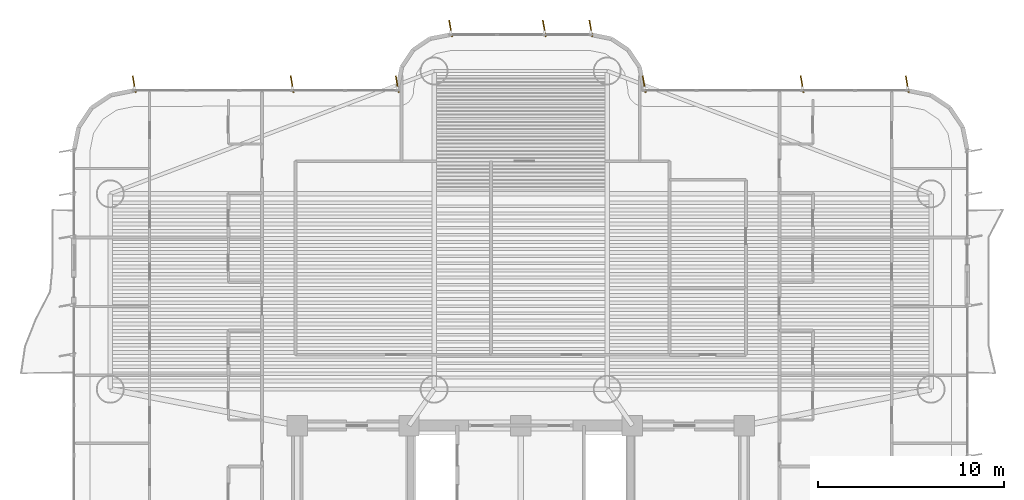
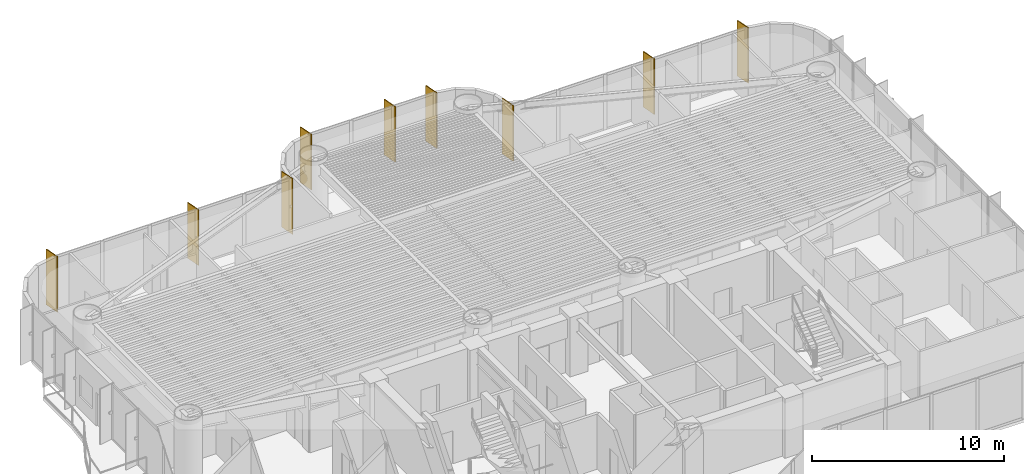
# One storey, part 19 of 19: 9 shading devices.
"""IFC4 building model written with IfcOpenShell, lengths in metres."""

from ifc_helpers import new_model, si_unit, direction, frame, origin, origin_2d, place, context, subcontext, project, spatial, rectangle, extrude, source, transform, mapped, material, material_profile, profile_set, type_object, element, save


model = new_model("IFC4")

# Units and contexts
model_context = context("Model", 3, precision=1e-05, world=origin(), true_north=direction((0.0, 1.0)))
body_context = subcontext(model_context, "Body", "Model", "MODEL_VIEW")
ifc_project = project(units=[si_unit("LENGTHUNIT", "METRE"), si_unit("AREAUNIT", "SQUARE_METRE"), si_unit("VOLUMEUNIT", "CUBIC_METRE"), si_unit("PLANEANGLEUNIT", "RADIAN"), si_unit("MASSUNIT", "GRAM", prefix="KILO")], contexts=[model_context])

# Site, building, storey
site_placement = place(None, origin())
site = spatial("IfcSite", under=ifc_project, at=site_placement, CompositionType="ELEMENT")
building_placement = place(site_placement, origin())
building = spatial("IfcBuilding", under=site, at=building_placement, Name="Brelvock Crest Care Tower", CompositionType="ELEMENT")
storey_placement = place(building_placement, frame((0.0, 0.0, 34.56005859375)))
storey = spatial("IfcBuildingStorey", under=building, at=storey_placement, Name="L08", CompositionType="ELEMENT", Elevation=34.56005859375)

# Shading devices
ifc_material = material(Name="Aluminium 6063-T6", Category="aluminium")
ifc_material_profile = material_profile(ifc_material, rectangle(XDim=0.054931640625, YDim=0.89990234375, at=origin_2d()), Name="FIN55x900")
ifc_profile_set = profile_set([ifc_material_profile], Name="Aluminium 6063-T6")
shading_device_type = type_object("IfcShadingDeviceType", Name="SHD-FIN1", PredefinedType="USERDEFINED", material=ifc_profile_set)
shared_shape = source(origin(), body_context, "Body", "SweptSolid", [
    extrude(rectangle(XDim=0.054931640625, YDim=0.89990234375, at=origin_2d()), origin(), (0.0, 0.0, 1.0), 3.530029296875),
])
for number, where, z_axis, x_axis, name in (
    (1, (15.232421875, 36.340087890625, 0.0), (0.0, 0.0, 1.0), (0.984807753012, 0.173648177667, 0.0), "L08 Vertical Sunshade Fin E18-01"),
    (2, (23.719970703125, 36.340087890625, 0.0), (0.0, 0.0, 1.0), (0.984807753012, 0.173648177667, 0.0), "L08 Vertical Sunshade Fin E18-04"),
    (3, (29.367431640625, 36.340087890625, 0.0), (0.0, 0.0, 1.0), (0.984807753012, 0.173648177667, 0.0), "L08 Vertical Sunshade Fin E18-06"),
    (4, (32.232421875, 39.340087890625, 0.0), (0.0, 0.0, 1.0), (0.984807753012, 0.173648177667, 0.0), "L08 Vertical Sunshade Fin E24-01"),
    (5, (37.2666015625, 39.340087890625, 0.0), (0.0, 0.0, 1.0), (0.984807753012, 0.173648177667, 0.0), "L08 Vertical Sunshade Fin E24-03"),
    (6, (39.767578125, 39.340087890625, 0.0), (0.0, 0.0, 1.0), (0.984807753012, 0.173648177667, 0.0), "L08 Vertical Sunshade Fin E24-04"),
    (7, (42.632568359375, 36.340087890625, 0.0), (0.0, 0.0, 1.0), (0.984807753012, 0.173648177667, 0.0), "L08 Vertical Sunshade Fin E30-01"),
    (8, (51.1201171875, 36.340087890625, 0.0), (0.0, 0.0, 1.0), (0.984807753012, 0.173648177667, 0.0), "L08 Vertical Sunshade Fin E30-04"),
    (9, (56.767578125, 36.340087890625, 0.0), (0.0, 0.0, 1.0), (0.984807753012, 0.173648177667, 0.0), "L08 Vertical Sunshade Fin E30-06"),
):
    element("IfcShadingDevice", number, at=place(storey_placement, frame(where, z_axis=z_axis, x_axis=x_axis)), inside=storey, type_object=shading_device_type, Name=name, ObjectType="FIN", PredefinedType="USERDEFINED", context=body_context, shape_type="MappedRepresentation", body=[
        mapped(shared_shape, transform((0.0, 0.0, 0.0), x_axis=(1.0, 0.0, 0.0), y_axis=(0.0, 1.0, 0.0), z_axis=(0.0, 0.0, 1.0), scale=1.0)),
    ])

save(model, "model.ifc")
